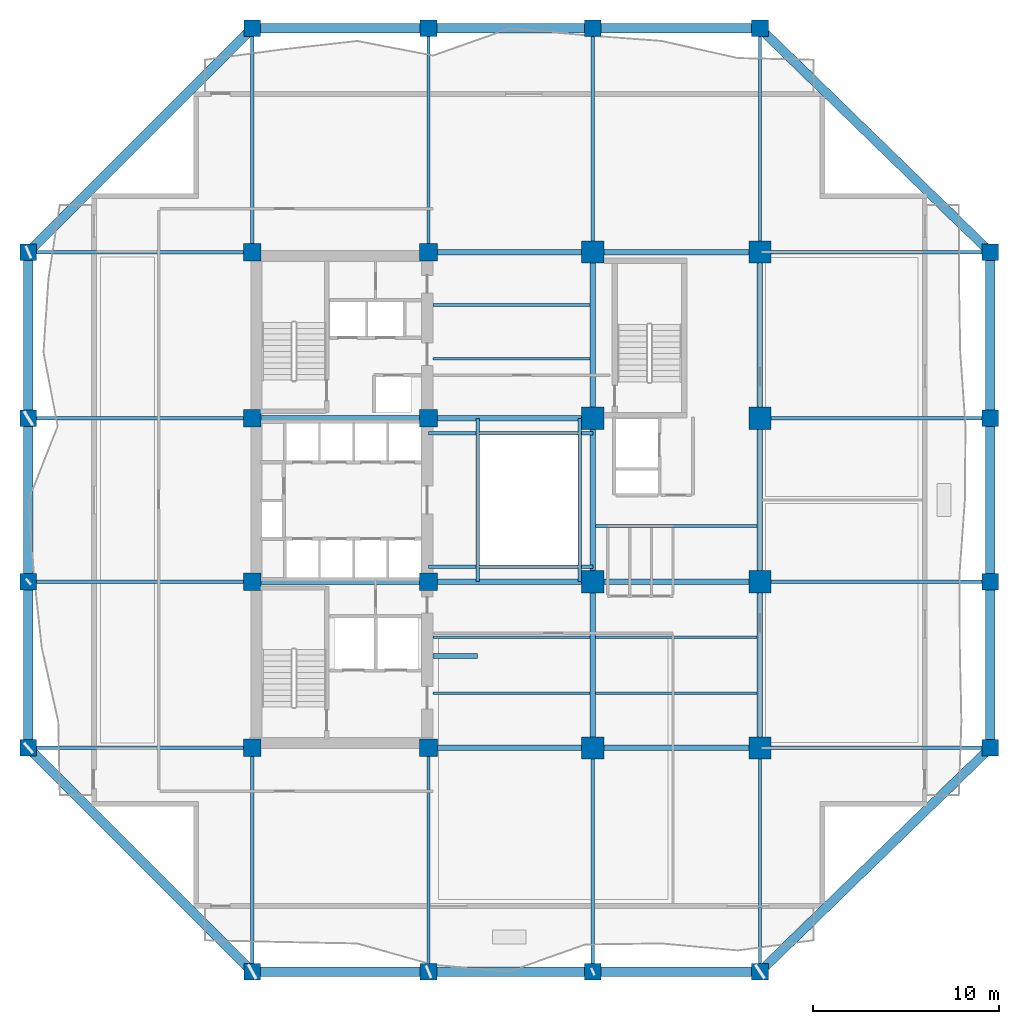
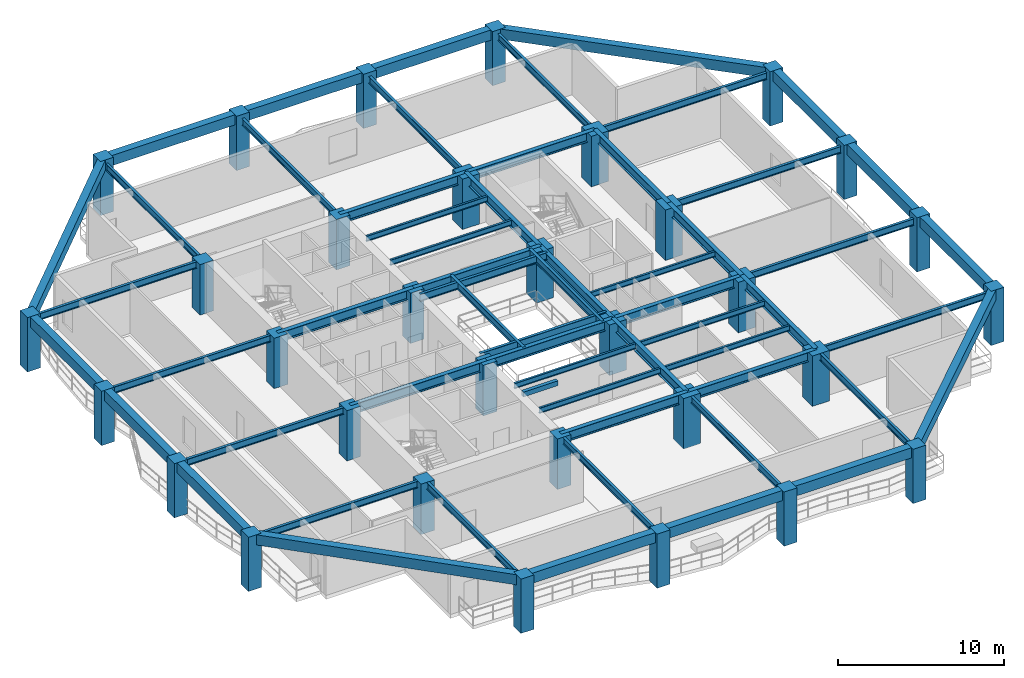
# One storey, part 1 of 13: 59 beams, 32 columns.
"""IFC4 building model written with IfcOpenShell, lengths in metres."""

from ifc_helpers import new_model, si_unit, direction, frame, origin, origin_2d, place, context, subcontext, project, spatial, rectangle, i_section, extrude, material, material_profile, profile_set, type_object, element, save


model = new_model("IFC4")

# Units and contexts
model_context = context("Model", 3, precision=1e-05, world=origin(), true_north=direction((0.0, 1.0)))
body_context = subcontext(model_context, "Body", "Model", "MODEL_VIEW")
ifc_project = project(units=[si_unit("LENGTHUNIT", "METRE"), si_unit("AREAUNIT", "SQUARE_METRE"), si_unit("VOLUMEUNIT", "CUBIC_METRE"), si_unit("PLANEANGLEUNIT", "RADIAN"), si_unit("MASSUNIT", "GRAM", prefix="KILO")], contexts=[model_context])

# Site, building, storey
site_placement = place(None, origin())
site = spatial("IfcSite", under=ifc_project, at=site_placement, CompositionType="ELEMENT")
building_placement = place(site_placement, origin())
building = spatial("IfcBuilding", under=site, at=building_placement, Name="Kundavana Baori Tower", CompositionType="ELEMENT")
storey_placement = place(building_placement, frame((0.0, 0.0, 34.0)))
storey = spatial("IfcBuildingStorey", under=building, at=storey_placement, Name="L07", CompositionType="ELEMENT", Elevation=34.0)

# Columns
ifc_material_1 = material(Name="Concrete C60/75", Category="concrete")
ifc_material_profile_1 = material_profile(ifc_material_1, rectangle(XDim=0.89990234375, YDim=0.89990234375, at=origin_2d()), Name="RC PF 900x900")
ifc_profile_set_1 = profile_set([ifc_material_profile_1], Name="Concrete C60/75")
column_type_1 = type_object("IfcColumnType", Name="COL-PF-900", PredefinedType="COLUMN", material=ifc_profile_set_1)
for number, where, z_axis, x_axis, name in (
    (1, (15.449951171875, 3.199951171875, 0.0), (0.0, 0.0, 1.0), (1.0, 0.0, 0.0), "L07 Stone-Clad Perimeter Frame Column PF-S1"),
    (2, (15.449951171875, 54.0, 0.0), (0.0, 0.0, 1.0), (1.0, 0.0, 0.0), "L07 Stone-Clad Perimeter Frame Column PF-N1"),
    (3, (24.949951171875, 3.199951171875, 0.0), (0.0, 0.0, 1.0), (1.0, 0.0, 0.0), "L07 Stone-Clad Perimeter Frame Column PF-S2"),
    (4, (24.949951171875, 54.0, 0.0), (0.0, 0.0, 1.0), (1.0, 0.0, 0.0), "L07 Stone-Clad Perimeter Frame Column PF-N2"),
    (5, (33.800048828125, 3.199951171875, 0.0), (0.0, 0.0, 1.0), (1.0, 0.0, 0.0), "L07 Stone-Clad Perimeter Frame Column PF-S3"),
    (6, (33.800048828125, 54.0, 0.0), (0.0, 0.0, 1.0), (1.0, 0.0, 0.0), "L07 Stone-Clad Perimeter Frame Column PF-N3"),
    (7, (42.800048828125, 3.199951171875, 0.0), (0.0, 0.0, 1.0), (1.0, 0.0, 0.0), "L07 Stone-Clad Perimeter Frame Column PF-S4"),
    (8, (42.800048828125, 54.0, 0.0), (0.0, 0.0, 1.0), (1.0, 0.0, 0.0), "L07 Stone-Clad Perimeter Frame Column PF-N4"),
    (9, (3.39990234375, 15.25, 0.0), (0.0, 0.0, 1.0), (1.0, 0.0, 0.0), "L07 Stone-Clad Perimeter Frame Column PF-W1"),
    (10, (55.199951171875, 15.25, 0.0), (0.0, 0.0, 1.0), (1.0, 0.0, 0.0), "L07 Stone-Clad Perimeter Frame Column PF-E1"),
    (11, (3.39990234375, 24.199951171875, 0.0), (0.0, 0.0, 1.0), (1.0, 0.0, 0.0), "L07 Stone-Clad Perimeter Frame Column PF-W2"),
    (12, (55.199951171875, 24.199951171875, 0.0), (0.0, 0.0, 1.0), (1.0, 0.0, 0.0), "L07 Stone-Clad Perimeter Frame Column PF-E2"),
    (13, (3.39990234375, 33.0, 0.0), (0.0, 0.0, 1.0), (1.0, 0.0, 0.0), "L07 Stone-Clad Perimeter Frame Column PF-W3"),
    (14, (55.199951171875, 33.0, 0.0), (0.0, 0.0, 1.0), (1.0, 0.0, 0.0), "L07 Stone-Clad Perimeter Frame Column PF-E3"),
    (15, (3.39990234375, 41.949951171875, 0.0), (0.0, 0.0, 1.0), (1.0, 0.0, 0.0), "L07 Stone-Clad Perimeter Frame Column PF-W4"),
    (16, (55.199951171875, 41.949951171875, 0.0), (0.0, 0.0, 1.0), (1.0, 0.0, 0.0), "L07 Stone-Clad Perimeter Frame Column PF-E4"),
):
    element("IfcColumn", number, at=place(storey_placement, frame(where, z_axis=z_axis, x_axis=x_axis)), inside=storey, type_object=column_type_1, Name=name, PredefinedType="COLUMN", context=body_context, shape_type="SweptSolid", body=[
        extrude(rectangle(XDim=0.89990234375, YDim=0.89990234375, at=origin_2d()), origin(), (0.0, 0.0, 1.0), 4.0),
    ])
ifc_material_2 = material(Name="Concrete C60/75", Category="concrete")
ifc_material_profile_2 = material_profile(ifc_material_2, rectangle(XDim=1.199951171875, YDim=1.199951171875, at=origin_2d()), Name="RC 1200x1200")
ifc_profile_set_2 = profile_set([ifc_material_profile_2], Name="Concrete C60/75")
column_type_2 = type_object("IfcColumnType", Name="COL-RC-1200", PredefinedType="COLUMN", material=ifc_profile_set_2)
for number, where, z_axis, x_axis, name in (
    (17, (33.800048828125, 15.25, 0.0), (0.0, 0.0, 1.0), (1.0, 0.0, 0.0), "L07 Interior Column IC-5C"),
    (18, (33.800048828125, 24.199951171875, 0.0), (0.0, 0.0, 1.0), (1.0, 0.0, 0.0), "L07 Interior Column IC-5D"),
    (19, (33.800048828125, 33.0, 0.0), (0.0, 0.0, 1.0), (1.0, 0.0, 0.0), "L07 Interior Column IC-5E"),
    (20, (33.800048828125, 41.949951171875, 0.0), (0.0, 0.0, 1.0), (1.0, 0.0, 0.0), "L07 Interior Column IC-5F"),
    (21, (42.800048828125, 15.25, 0.0), (0.0, 0.0, 1.0), (1.0, 0.0, 0.0), "L07 Interior Column IC-6C"),
    (22, (42.800048828125, 24.199951171875, 0.0), (0.0, 0.0, 1.0), (1.0, 0.0, 0.0), "L07 Interior Column IC-6D"),
    (23, (42.800048828125, 33.0, 0.0), (0.0, 0.0, 1.0), (1.0, 0.0, 0.0), "L07 Interior Column IC-6E"),
    (24, (42.800048828125, 41.949951171875, 0.0), (0.0, 0.0, 1.0), (1.0, 0.0, 0.0), "L07 Interior Column IC-6F"),
):
    element("IfcColumn", number, at=place(storey_placement, frame(where, z_axis=z_axis, x_axis=x_axis)), inside=storey, type_object=column_type_2, Name=name, PredefinedType="COLUMN", context=body_context, shape_type="SweptSolid", body=[
        extrude(rectangle(XDim=1.199951171875, YDim=1.199951171875, at=origin_2d()), origin(), (0.0, 0.0, 1.0), 3.719970703125),
    ])
ifc_material_3 = material(Name="Concrete C50/60", Category="concrete")
ifc_material_profile_3 = material_profile(ifc_material_3, rectangle(XDim=0.949951171875, YDim=0.949951171875, at=origin_2d()), Name="RC 950x950")
ifc_profile_set_3 = profile_set([ifc_material_profile_3], Name="Concrete C50/60")
column_type_3 = type_object("IfcColumnType", Name="COL-RC-950", PredefinedType="COLUMN", material=ifc_profile_set_3)
for number, where, z_axis, x_axis, name in (
    (25, (15.449951171875, 15.25, 0.0), (0.0, 0.0, 1.0), (1.0, 0.0, 0.0), "L07 Interior Column IC-3C"),
    (26, (15.449951171875, 24.199951171875, 0.0), (0.0, 0.0, 1.0), (1.0, 0.0, 0.0), "L07 Interior Column IC-3D"),
    (27, (15.449951171875, 33.0, 0.0), (0.0, 0.0, 1.0), (1.0, 0.0, 0.0), "L07 Interior Column IC-3E"),
    (28, (15.449951171875, 41.949951171875, 0.0), (0.0, 0.0, 1.0), (1.0, 0.0, 0.0), "L07 Interior Column IC-3F"),
    (29, (24.949951171875, 15.25, 0.0), (0.0, 0.0, 1.0), (1.0, 0.0, 0.0), "L07 Interior Column IC-4C"),
    (30, (24.949951171875, 24.199951171875, 0.0), (0.0, 0.0, 1.0), (1.0, 0.0, 0.0), "L07 Interior Column IC-4D"),
    (31, (24.949951171875, 33.0, 0.0), (0.0, 0.0, 1.0), (1.0, 0.0, 0.0), "L07 Interior Column IC-4E"),
    (32, (24.949951171875, 41.949951171875, 0.0), (0.0, 0.0, 1.0), (1.0, 0.0, 0.0), "L07 Interior Column IC-4F"),
):
    element("IfcColumn", number, at=place(storey_placement, frame(where, z_axis=z_axis, x_axis=x_axis)), inside=storey, type_object=column_type_3, Name=name, PredefinedType="COLUMN", context=body_context, shape_type="SweptSolid", body=[
        extrude(rectangle(XDim=0.949951171875, YDim=0.949951171875, at=origin_2d()), origin(), (0.0, 0.0, 1.0), 3.719970703125),
    ])

# Beams
ifc_material_4 = material(Name="Structural Steel S355JR", Category="steel")
ifc_material_profile_4 = material_profile(ifc_material_4, i_section(OverallWidth=0.139892578125, OverallDepth=0.39990234375, WebThickness=0.0087890625, FlangeThickness=0.01611328125, FilletRadius=0.013916015625, at=origin_2d()), Name="ISMB 400")
ifc_profile_set_4 = profile_set([ifc_material_profile_4], Name="Structural Steel S355JR")
beam_type_1 = type_object("IfcBeamType", Name="BM-JST-400", PredefinedType="JOIST", material=ifc_profile_set_4)
for number, where, z_axis, x_axis, name in (
    (33, (25.179931640625, 18.199951171875, 3.52001953125), (1.0, 0.0, 0.0), (0.0, 1.0, 0.0), "L07 Central Bay Composite Floor Joist C1"),
    (34, (25.179931640625, 21.199951171875, 3.52001953125), (1.0, 0.0, 0.0), (0.0, 1.0, 0.0), "L07 Central Bay Composite Floor Joist C2"),
    (35, (25.179931640625, 36.199951171875, 3.52001953125), (1.0, 0.0, 0.0), (0.0, 1.0, 0.0), "L07 Central Bay Composite Floor Joist C3"),
    (36, (25.179931640625, 39.10009765625, 3.52001953125), (1.0, 0.0, 0.0), (0.0, 1.0, 0.0), "L07 Central Bay Composite Floor Joist C4"),
):
    element("IfcBeam", number, at=place(storey_placement, frame(where, z_axis=z_axis, x_axis=x_axis)), inside=storey, type_object=beam_type_1, Name=name, PredefinedType="JOIST", context=body_context, shape_type="SweptSolid", body=[
        extrude(i_section(OverallWidth=0.139892578125, OverallDepth=0.39990234375, WebThickness=0.0087890625, FlangeThickness=0.01611328125, FilletRadius=0.013916015625, at=origin_2d()), origin(), (0.0, 0.0, 1.0), 8.469970703125),
    ])
for number, where, z_axis, x_axis, name in (
    (37, (33.949951171875, 18.199951171875, 3.52001953125), (1.0, 0.0, 0.0), (0.0, 1.0, 0.0), "L07 East Bay Composite Floor Joist E1"),
    (38, (33.949951171875, 21.199951171875, 3.52001953125), (1.0, 0.0, 0.0), (0.0, 1.0, 0.0), "L07 East Bay Composite Floor Joist E2"),
    (39, (33.949951171875, 27.199951171875, 3.52001953125), (1.0, 0.0, 0.0), (0.0, 1.0, 0.0), "L07 East Bay Composite Floor Joist E3"),
):
    element("IfcBeam", number, at=place(storey_placement, frame(where, z_axis=z_axis, x_axis=x_axis)), inside=storey, type_object=beam_type_1, Name=name, PredefinedType="JOIST", context=body_context, shape_type="SweptSolid", body=[
        extrude(i_section(OverallWidth=0.139892578125, OverallDepth=0.39990234375, WebThickness=0.0087890625, FlangeThickness=0.01611328125, FilletRadius=0.013916015625, at=origin_2d()), origin(), (0.0, 0.0, 1.0), 8.699951171875),
    ])
ifc_material_5 = material(Name="Concrete C40/50", Category="concrete")
ifc_material_profile_5 = material_profile(ifc_material_5, rectangle(XDim=0.25, YDim=0.35009765625, at=origin_2d()), Name="RC LNT 250x350")
ifc_profile_set_5 = profile_set([ifc_material_profile_5], Name="Concrete C40/50")
beam_type_2 = type_object("IfcBeamType", Name="BM-LNT-350", PredefinedType="LINTEL", material=ifc_profile_set_5)
beam_1_placement = place(storey_placement, frame((25.179931640625, 20.199951171875, 3.544921875), z_axis=(1.0, 0.0, 0.0), x_axis=(0.0, 1.0, 0.0)))
element("IfcBeam", 40, at=beam_1_placement, inside=storey, type_object=beam_type_2, Name="L07 Atrium Gallery Portal Lintel Beam", PredefinedType="LINTEL", context=body_context, shape_type="SweptSolid", body=[
    extrude(rectangle(XDim=0.25, YDim=0.35009765625, at=origin_2d()), origin(), (0.0, 0.0, 1.0), 2.420166015625),
])
ifc_material_6 = material(Name="Concrete C50/60", Category="concrete")
ifc_material_profile_6 = material_profile(ifc_material_6, rectangle(XDim=0.5, YDim=0.75, at=origin_2d()), Name="RC BM 500x750")
ifc_profile_set_6 = profile_set([ifc_material_profile_6], Name="Concrete C50/60")
beam_type_3 = type_object("IfcBeamType", Name="BM-PF-750", PredefinedType="SPANDREL", material=ifc_profile_set_6)
beam_2_placement = place(storey_placement, frame((15.449951171875, 3.199951171875, 3.625), z_axis=(1.0, 0.0, 0.0), x_axis=(0.0, 1.0, 0.0)))
element("IfcBeam", 41, at=beam_2_placement, inside=storey, type_object=beam_type_3, Name="L07 Perimeter Frame Ring Beam S1", PredefinedType="SPANDREL", context=body_context, shape_type="SweptSolid", body=[
    extrude(rectangle(XDim=0.5, YDim=0.75, at=origin_2d()), origin(), (0.0, 0.0, 1.0), 9.5),
])
beam_3_placement = place(storey_placement, frame((24.949951171875, 3.199951171875, 3.625), z_axis=(1.0, 0.0, 0.0), x_axis=(0.0, 1.0, 0.0)))
element("IfcBeam", 42, at=beam_3_placement, inside=storey, type_object=beam_type_3, Name="L07 Perimeter Frame Ring Beam S2", PredefinedType="SPANDREL", context=body_context, shape_type="SweptSolid", body=[
    extrude(rectangle(XDim=0.5, YDim=0.75, at=origin_2d()), origin(), (0.0, 0.0, 1.0), 8.85009765625),
])
beam_4_placement = place(storey_placement, frame((33.800048828125, 3.199951171875, 3.625), z_axis=(1.0, 0.0, 0.0), x_axis=(0.0, 1.0, 0.0)))
element("IfcBeam", 43, at=beam_4_placement, inside=storey, type_object=beam_type_3, Name="L07 Perimeter Frame Ring Beam S3", PredefinedType="SPANDREL", context=body_context, shape_type="SweptSolid", body=[
    extrude(rectangle(XDim=0.5, YDim=0.75, at=origin_2d()), origin(), (0.0, 0.0, 1.0), 9.0),
])
beam_5_placement = place(storey_placement, frame((15.449951171875, 54.0, 3.625), z_axis=(1.0, 0.0, 0.0), x_axis=(0.0, 1.0, 0.0)))
element("IfcBeam", 44, at=beam_5_placement, inside=storey, type_object=beam_type_3, Name="L07 Perimeter Frame Ring Beam N1", PredefinedType="SPANDREL", context=body_context, shape_type="SweptSolid", body=[
    extrude(rectangle(XDim=0.5, YDim=0.75, at=origin_2d()), origin(), (0.0, 0.0, 1.0), 9.5),
])
beam_6_placement = place(storey_placement, frame((24.949951171875, 54.0, 3.625), z_axis=(1.0, 0.0, 0.0), x_axis=(0.0, 1.0, 0.0)))
element("IfcBeam", 45, at=beam_6_placement, inside=storey, type_object=beam_type_3, Name="L07 Perimeter Frame Ring Beam N2", PredefinedType="SPANDREL", context=body_context, shape_type="SweptSolid", body=[
    extrude(rectangle(XDim=0.5, YDim=0.75, at=origin_2d()), origin(), (0.0, 0.0, 1.0), 8.85009765625),
])
beam_7_placement = place(storey_placement, frame((33.800048828125, 54.0, 3.625), z_axis=(1.0, 0.0, 0.0), x_axis=(0.0, 1.0, 0.0)))
element("IfcBeam", 46, at=beam_7_placement, inside=storey, type_object=beam_type_3, Name="L07 Perimeter Frame Ring Beam N3", PredefinedType="SPANDREL", context=body_context, shape_type="SweptSolid", body=[
    extrude(rectangle(XDim=0.5, YDim=0.75, at=origin_2d()), origin(), (0.0, 0.0, 1.0), 9.0),
])
beam_8_placement = place(storey_placement, frame((3.39990234375, 15.25, 3.625), z_axis=(0.0, 1.0, 0.0), x_axis=(-1.0, 0.0, 0.0)))
element("IfcBeam", 47, at=beam_8_placement, inside=storey, type_object=beam_type_3, Name="L07 Perimeter Frame Ring Beam W1", PredefinedType="SPANDREL", context=body_context, shape_type="SweptSolid", body=[
    extrude(rectangle(XDim=0.5, YDim=0.75, at=origin_2d()), origin(), (0.0, 0.0, 1.0), 8.949951171875),
])
beam_9_placement = place(storey_placement, frame((3.39990234375, 24.199951171875, 3.625), z_axis=(0.0, 1.0, 0.0), x_axis=(-1.0, 0.0, 0.0)))
element("IfcBeam", 48, at=beam_9_placement, inside=storey, type_object=beam_type_3, Name="L07 Perimeter Frame Ring Beam W2", PredefinedType="SPANDREL", context=body_context, shape_type="SweptSolid", body=[
    extrude(rectangle(XDim=0.5, YDim=0.75, at=origin_2d()), origin(), (0.0, 0.0, 1.0), 8.800048828125),
])
for number, where, z_axis, x_axis, name in (
    (49, (3.39990234375, 33.0, 3.625), (0.0, 1.0, 0.0), (-1.0, 0.0, 0.0), "L07 Perimeter Frame Ring Beam W3"),
    (50, (55.199951171875, 15.25, 3.625), (0.0, 1.0, 0.0), (-1.0, 0.0, 0.0), "L07 Perimeter Frame Ring Beam E1"),
):
    element("IfcBeam", number, at=place(storey_placement, frame(where, z_axis=z_axis, x_axis=x_axis)), inside=storey, type_object=beam_type_3, Name=name, PredefinedType="SPANDREL", context=body_context, shape_type="SweptSolid", body=[
        extrude(rectangle(XDim=0.5, YDim=0.75, at=origin_2d()), origin(), (0.0, 0.0, 1.0), 8.949951171875),
    ])
beam_10_placement = place(storey_placement, frame((55.199951171875, 24.199951171875, 3.625), z_axis=(0.0, 1.0, 0.0), x_axis=(-1.0, 0.0, 0.0)))
element("IfcBeam", 51, at=beam_10_placement, inside=storey, type_object=beam_type_3, Name="L07 Perimeter Frame Ring Beam E2", PredefinedType="SPANDREL", context=body_context, shape_type="SweptSolid", body=[
    extrude(rectangle(XDim=0.5, YDim=0.75, at=origin_2d()), origin(), (0.0, 0.0, 1.0), 8.800048828125),
])
beam_11_placement = place(storey_placement, frame((55.199951171875, 33.0, 3.625), z_axis=(0.0, 1.0, 0.0), x_axis=(-1.0, 0.0, 0.0)))
element("IfcBeam", 52, at=beam_11_placement, inside=storey, type_object=beam_type_3, Name="L07 Perimeter Frame Ring Beam E3", PredefinedType="SPANDREL", context=body_context, shape_type="SweptSolid", body=[
    extrude(rectangle(XDim=0.5, YDim=0.75, at=origin_2d()), origin(), (0.0, 0.0, 1.0), 8.949951171875),
])
beam_12_placement = place(storey_placement, frame((15.449951171875, 3.199951171875, 3.625), z_axis=(-0.707106781187, 0.707106781187, 0.0), x_axis=(-0.707106781187, -0.707106781187, 0.0)))
element("IfcBeam", 53, at=beam_12_placement, inside=storey, type_object=beam_type_3, Name="L07 Notched Corner Perimeter Beam SW", PredefinedType="SPANDREL", context=body_context, shape_type="SweptSolid", body=[
    extrude(rectangle(XDim=0.5, YDim=0.75, at=origin_2d()), origin(), (0.0, 0.0, 1.0), 17.041259765625),
])
beam_13_placement = place(storey_placement, frame((42.800048828125, 3.199951171875, 3.625), z_axis=(0.717151334594, 0.696917472367, 0.0), x_axis=(-0.696917472367, 0.717151334594, 0.0)))
element("IfcBeam", 54, at=beam_13_placement, inside=storey, type_object=beam_type_3, Name="L07 Notched Corner Perimeter Beam SE", PredefinedType="SPANDREL", context=body_context, shape_type="SweptSolid", body=[
    extrude(rectangle(XDim=0.5, YDim=0.75, at=origin_2d()), origin(), (0.0, 0.0, 1.0), 17.29052734375),
])
beam_14_placement = place(storey_placement, frame((15.449951171875, 54.0, 3.625), z_axis=(-0.707106781187, -0.707106781187, 0.0), x_axis=(0.707106781187, -0.707106781187, 0.0)))
element("IfcBeam", 55, at=beam_14_placement, inside=storey, type_object=beam_type_3, Name="L07 Notched Corner Perimeter Beam NW", PredefinedType="SPANDREL", context=body_context, shape_type="SweptSolid", body=[
    extrude(rectangle(XDim=0.5, YDim=0.75, at=origin_2d()), origin(), (0.0, 0.0, 1.0), 17.041259765625),
])
beam_15_placement = place(storey_placement, frame((42.800048828125, 54.0, 3.625), z_axis=(0.717151334594, -0.696917472367, 0.0), x_axis=(0.696917472367, 0.717151334594, 0.0)))
element("IfcBeam", 56, at=beam_15_placement, inside=storey, type_object=beam_type_3, Name="L07 Notched Corner Perimeter Beam NE", PredefinedType="SPANDREL", context=body_context, shape_type="SweptSolid", body=[
    extrude(rectangle(XDim=0.5, YDim=0.75, at=origin_2d()), origin(), (0.0, 0.0, 1.0), 17.29052734375),
])
ifc_material_7 = material(Name="Structural Steel S355JR", Category="steel")
ifc_material_profile_7 = material_profile(ifc_material_7, i_section(OverallWidth=0.18994140625, OverallDepth=0.550048828125, WebThickness=0.01123046875, FlangeThickness=0.019287109375, FilletRadius=0.01806640625, at=origin_2d()), Name="ISMB 550")
ifc_profile_set_7 = profile_set([ifc_material_profile_7], Name="Structural Steel S355JR")
beam_type_4 = type_object("IfcBeamType", Name="BM-ST-550", PredefinedType="BEAM", material=ifc_profile_set_7)
for number, where, z_axis, x_axis, name in (
    (57, (27.60009765625, 24.199951171875, 3.445068359375), (0.0, 1.0, 0.0), (-1.0, 0.0, 0.0), "L07 Atrium West Edge Beam"),
    (58, (33.10009765625, 24.199951171875, 3.445068359375), (0.0, 1.0, 0.0), (-1.0, 0.0, 0.0), "L07 Atrium East Edge Beam"),
):
    element("IfcBeam", number, at=place(storey_placement, frame(where, z_axis=z_axis, x_axis=x_axis)), inside=storey, type_object=beam_type_4, Name=name, PredefinedType="BEAM", context=body_context, shape_type="SweptSolid", body=[
        extrude(i_section(OverallWidth=0.18994140625, OverallDepth=0.550048828125, WebThickness=0.01123046875, FlangeThickness=0.019287109375, FilletRadius=0.01806640625, at=origin_2d()), origin(), (0.0, 0.0, 1.0), 8.800048828125),
    ])
for number, where, z_axis, x_axis, name in (
    (59, (24.949951171875, 25.0, 3.445068359375), (1.0, 0.0, 0.0), (0.0, 1.0, 0.0), "L07 Atrium South Edge Beam"),
    (60, (24.949951171875, 32.199951171875, 3.445068359375), (1.0, 0.0, 0.0), (0.0, 1.0, 0.0), "L07 Atrium North Edge Beam"),
):
    element("IfcBeam", number, at=place(storey_placement, frame(where, z_axis=z_axis, x_axis=x_axis)), inside=storey, type_object=beam_type_4, Name=name, PredefinedType="BEAM", context=body_context, shape_type="SweptSolid", body=[
        extrude(i_section(OverallWidth=0.18994140625, OverallDepth=0.550048828125, WebThickness=0.01123046875, FlangeThickness=0.019287109375, FilletRadius=0.01806640625, at=origin_2d()), origin(), (0.0, 0.0, 1.0), 8.85009765625),
    ])
ifc_material_8 = material(Name="Structural Steel S355JR", Category="steel")
ifc_material_profile_8 = material_profile(ifc_material_8, i_section(OverallWidth=0.300048828125, OverallDepth=0.699951171875, WebThickness=0.014404296875, FlangeThickness=0.02392578125, FilletRadius=0.02392578125, at=origin_2d()), Name="NPB 700x300x170")
ifc_profile_set_8 = profile_set([ifc_material_profile_8], Name="Structural Steel S355JR")
beam_type_5 = type_object("IfcBeamType", Name="BM-ST-700", PredefinedType="BEAM", material=ifc_profile_set_8)
beam_16_placement = place(storey_placement, frame((24.949951171875, 15.25, 3.3701171875), z_axis=(1.0, 0.0, 0.0), x_axis=(0.0, 1.0, 0.0)))
element("IfcBeam", 61, at=beam_16_placement, inside=storey, type_object=beam_type_5, Name="L07 Primary Grid Girder GX-1-2", PredefinedType="BEAM", context=body_context, shape_type="SweptSolid", body=[
    extrude(i_section(OverallWidth=0.300048828125, OverallDepth=0.699951171875, WebThickness=0.014404296875, FlangeThickness=0.02392578125, FilletRadius=0.02392578125, at=origin_2d()), origin(), (0.0, 0.0, 1.0), 8.85009765625),
])
beam_17_placement = place(storey_placement, frame((33.800048828125, 15.25, 3.3701171875), z_axis=(1.0, 0.0, 0.0), x_axis=(0.0, 1.0, 0.0)))
element("IfcBeam", 62, at=beam_17_placement, inside=storey, type_object=beam_type_5, Name="L07 Primary Grid Girder GX-1-3", PredefinedType="BEAM", context=body_context, shape_type="SweptSolid", body=[
    extrude(i_section(OverallWidth=0.300048828125, OverallDepth=0.699951171875, WebThickness=0.014404296875, FlangeThickness=0.02392578125, FilletRadius=0.02392578125, at=origin_2d()), origin(), (0.0, 0.0, 1.0), 9.0),
])
beam_18_placement = place(storey_placement, frame((15.449951171875, 24.199951171875, 3.3701171875), z_axis=(1.0, 0.0, 0.0), x_axis=(0.0, 1.0, 0.0)))
element("IfcBeam", 63, at=beam_18_placement, inside=storey, type_object=beam_type_5, Name="L07 Primary Grid Girder GX-2-1", PredefinedType="BEAM", context=body_context, shape_type="SweptSolid", body=[
    extrude(i_section(OverallWidth=0.300048828125, OverallDepth=0.699951171875, WebThickness=0.014404296875, FlangeThickness=0.02392578125, FilletRadius=0.02392578125, at=origin_2d()), origin(), (0.0, 0.0, 1.0), 9.5),
])
beam_19_placement = place(storey_placement, frame((24.949951171875, 24.199951171875, 3.3701171875), z_axis=(1.0, 0.0, 0.0), x_axis=(0.0, 1.0, 0.0)))
element("IfcBeam", 64, at=beam_19_placement, inside=storey, type_object=beam_type_5, Name="L07 Primary Grid Girder GX-2-2", PredefinedType="BEAM", context=body_context, shape_type="SweptSolid", body=[
    extrude(i_section(OverallWidth=0.300048828125, OverallDepth=0.699951171875, WebThickness=0.014404296875, FlangeThickness=0.02392578125, FilletRadius=0.02392578125, at=origin_2d()), origin(), (0.0, 0.0, 1.0), 8.85009765625),
])
beam_20_placement = place(storey_placement, frame((33.800048828125, 24.199951171875, 3.3701171875), z_axis=(1.0, 0.0, 0.0), x_axis=(0.0, 1.0, 0.0)))
element("IfcBeam", 65, at=beam_20_placement, inside=storey, type_object=beam_type_5, Name="L07 Primary Grid Girder GX-2-3", PredefinedType="BEAM", context=body_context, shape_type="SweptSolid", body=[
    extrude(i_section(OverallWidth=0.300048828125, OverallDepth=0.699951171875, WebThickness=0.014404296875, FlangeThickness=0.02392578125, FilletRadius=0.02392578125, at=origin_2d()), origin(), (0.0, 0.0, 1.0), 9.0),
])
beam_21_placement = place(storey_placement, frame((15.449951171875, 33.0, 3.3701171875), z_axis=(1.0, 0.0, 0.0), x_axis=(0.0, 1.0, 0.0)))
element("IfcBeam", 66, at=beam_21_placement, inside=storey, type_object=beam_type_5, Name="L07 Primary Grid Girder GX-3-1", PredefinedType="BEAM", context=body_context, shape_type="SweptSolid", body=[
    extrude(i_section(OverallWidth=0.300048828125, OverallDepth=0.699951171875, WebThickness=0.014404296875, FlangeThickness=0.02392578125, FilletRadius=0.02392578125, at=origin_2d()), origin(), (0.0, 0.0, 1.0), 9.5),
])
for number, where, z_axis, x_axis, name in (
    (67, (24.949951171875, 33.0, 3.3701171875), (1.0, 0.0, 0.0), (0.0, 1.0, 0.0), "L07 Primary Grid Girder GX-3-2"),
    (68, (24.949951171875, 41.949951171875, 3.3701171875), (1.0, 0.0, 0.0), (0.0, 1.0, 0.0), "L07 Primary Grid Girder GX-4-2"),
):
    element("IfcBeam", number, at=place(storey_placement, frame(where, z_axis=z_axis, x_axis=x_axis)), inside=storey, type_object=beam_type_5, Name=name, PredefinedType="BEAM", context=body_context, shape_type="SweptSolid", body=[
        extrude(i_section(OverallWidth=0.300048828125, OverallDepth=0.699951171875, WebThickness=0.014404296875, FlangeThickness=0.02392578125, FilletRadius=0.02392578125, at=origin_2d()), origin(), (0.0, 0.0, 1.0), 8.85009765625),
    ])
beam_22_placement = place(storey_placement, frame((33.800048828125, 41.949951171875, 3.3701171875), z_axis=(1.0, 0.0, 0.0), x_axis=(0.0, 1.0, 0.0)))
element("IfcBeam", 69, at=beam_22_placement, inside=storey, type_object=beam_type_5, Name="L07 Primary Grid Girder GX-4-3", PredefinedType="BEAM", context=body_context, shape_type="SweptSolid", body=[
    extrude(i_section(OverallWidth=0.300048828125, OverallDepth=0.699951171875, WebThickness=0.014404296875, FlangeThickness=0.02392578125, FilletRadius=0.02392578125, at=origin_2d()), origin(), (0.0, 0.0, 1.0), 9.0),
])
beam_23_placement = place(storey_placement, frame((33.800048828125, 15.25, 3.3701171875), z_axis=(0.0, 1.0, 0.0), x_axis=(-1.0, 0.0, 0.0)))
element("IfcBeam", 70, at=beam_23_placement, inside=storey, type_object=beam_type_5, Name="L07 Primary Grid Girder GY-3-1", PredefinedType="BEAM", context=body_context, shape_type="SweptSolid", body=[
    extrude(i_section(OverallWidth=0.300048828125, OverallDepth=0.699951171875, WebThickness=0.014404296875, FlangeThickness=0.02392578125, FilletRadius=0.02392578125, at=origin_2d()), origin(), (0.0, 0.0, 1.0), 8.949951171875),
])
beam_24_placement = place(storey_placement, frame((33.800048828125, 24.199951171875, 3.3701171875), z_axis=(0.0, 1.0, 0.0), x_axis=(-1.0, 0.0, 0.0)))
element("IfcBeam", 71, at=beam_24_placement, inside=storey, type_object=beam_type_5, Name="L07 Primary Grid Girder GY-3-2", PredefinedType="BEAM", context=body_context, shape_type="SweptSolid", body=[
    extrude(i_section(OverallWidth=0.300048828125, OverallDepth=0.699951171875, WebThickness=0.014404296875, FlangeThickness=0.02392578125, FilletRadius=0.02392578125, at=origin_2d()), origin(), (0.0, 0.0, 1.0), 8.800048828125),
])
for number, where, z_axis, x_axis, name in (
    (72, (33.800048828125, 33.0, 3.3701171875), (0.0, 1.0, 0.0), (-1.0, 0.0, 0.0), "L07 Primary Grid Girder GY-3-3"),
    (73, (42.800048828125, 15.25, 3.3701171875), (0.0, 1.0, 0.0), (-1.0, 0.0, 0.0), "L07 Primary Grid Girder GY-4-1"),
):
    element("IfcBeam", number, at=place(storey_placement, frame(where, z_axis=z_axis, x_axis=x_axis)), inside=storey, type_object=beam_type_5, Name=name, PredefinedType="BEAM", context=body_context, shape_type="SweptSolid", body=[
        extrude(i_section(OverallWidth=0.300048828125, OverallDepth=0.699951171875, WebThickness=0.014404296875, FlangeThickness=0.02392578125, FilletRadius=0.02392578125, at=origin_2d()), origin(), (0.0, 0.0, 1.0), 8.949951171875),
    ])
beam_25_placement = place(storey_placement, frame((42.800048828125, 24.199951171875, 3.3701171875), z_axis=(0.0, 1.0, 0.0), x_axis=(-1.0, 0.0, 0.0)))
element("IfcBeam", 74, at=beam_25_placement, inside=storey, type_object=beam_type_5, Name="L07 Primary Grid Girder GY-4-2", PredefinedType="BEAM", context=body_context, shape_type="SweptSolid", body=[
    extrude(i_section(OverallWidth=0.300048828125, OverallDepth=0.699951171875, WebThickness=0.014404296875, FlangeThickness=0.02392578125, FilletRadius=0.02392578125, at=origin_2d()), origin(), (0.0, 0.0, 1.0), 8.800048828125),
])
beam_26_placement = place(storey_placement, frame((42.800048828125, 33.0, 3.3701171875), z_axis=(0.0, 1.0, 0.0), x_axis=(-1.0, 0.0, 0.0)))
element("IfcBeam", 75, at=beam_26_placement, inside=storey, type_object=beam_type_5, Name="L07 Primary Grid Girder GY-4-3", PredefinedType="BEAM", context=body_context, shape_type="SweptSolid", body=[
    extrude(i_section(OverallWidth=0.300048828125, OverallDepth=0.699951171875, WebThickness=0.014404296875, FlangeThickness=0.02392578125, FilletRadius=0.02392578125, at=origin_2d()), origin(), (0.0, 0.0, 1.0), 8.949951171875),
])
ifc_material_9 = material(Name="Structural Steel S355JR", Category="steel")
ifc_material_profile_9 = material_profile(ifc_material_9, i_section(OverallWidth=0.179931640625, OverallDepth=0.5, WebThickness=0.01025390625, FlangeThickness=0.01708984375, FilletRadius=0.01708984375, at=origin_2d()), Name="ISMB 500")
ifc_profile_set_9 = profile_set([ifc_material_profile_9], Name="Structural Steel S355JR")
beam_type_6 = type_object("IfcBeamType", Name="BM-TIE-500", PredefinedType="BEAM", material=ifc_profile_set_9)
for number, where, z_axis, x_axis, name in (
    (76, (15.449951171875, 15.25, 3.469970703125), (0.0, -1.0, 0.0), (1.0, 0.0, 0.0), "L07 South Radial Loggia Tie Beam S1"),
    (77, (15.449951171875, 41.949951171875, 3.469970703125), (0.0, 1.0, 0.0), (-1.0, 0.0, 0.0), "L07 North Radial Loggia Tie Beam N1"),
    (78, (24.949951171875, 15.25, 3.469970703125), (0.0, -1.0, 0.0), (1.0, 0.0, 0.0), "L07 South Radial Loggia Tie Beam S2"),
    (79, (24.949951171875, 41.949951171875, 3.469970703125), (0.0, 1.0, 0.0), (-1.0, 0.0, 0.0), "L07 North Radial Loggia Tie Beam N2"),
    (80, (33.800048828125, 15.25, 3.469970703125), (0.0, -1.0, 0.0), (1.0, 0.0, 0.0), "L07 South Radial Loggia Tie Beam S3"),
    (81, (33.800048828125, 41.949951171875, 3.469970703125), (0.0, 1.0, 0.0), (-1.0, 0.0, 0.0), "L07 North Radial Loggia Tie Beam N3"),
    (82, (42.800048828125, 15.25, 3.469970703125), (0.0, -1.0, 0.0), (1.0, 0.0, 0.0), "L07 South Radial Loggia Tie Beam S4"),
    (83, (42.800048828125, 41.949951171875, 3.469970703125), (0.0, 1.0, 0.0), (-1.0, 0.0, 0.0), "L07 North Radial Loggia Tie Beam N4"),
    (84, (15.449951171875, 15.25, 3.469970703125), (-1.0, 0.0, 0.0), (0.0, -1.0, 0.0), "L07 West Radial Loggia Tie Beam W1"),
):
    element("IfcBeam", number, at=place(storey_placement, frame(where, z_axis=z_axis, x_axis=x_axis)), inside=storey, type_object=beam_type_6, Name=name, PredefinedType="BEAM", context=body_context, shape_type="SweptSolid", body=[
        extrude(i_section(OverallWidth=0.179931640625, OverallDepth=0.5, WebThickness=0.01025390625, FlangeThickness=0.01708984375, FilletRadius=0.01708984375, at=origin_2d()), origin(), (0.0, 0.0, 1.0), 12.050048828125),
    ])
beam_27_placement = place(storey_placement, frame((42.800048828125, 15.25, 3.469970703125), z_axis=(1.0, 0.0, 0.0), x_axis=(0.0, 1.0, 0.0)))
element("IfcBeam", 85, at=beam_27_placement, inside=storey, type_object=beam_type_6, Name="L07 East Radial Loggia Tie Beam E1", PredefinedType="BEAM", context=body_context, shape_type="SweptSolid", body=[
    extrude(i_section(OverallWidth=0.179931640625, OverallDepth=0.5, WebThickness=0.01025390625, FlangeThickness=0.01708984375, FilletRadius=0.01708984375, at=origin_2d()), origin(), (0.0, 0.0, 1.0), 12.39990234375),
])
beam_28_placement = place(storey_placement, frame((15.449951171875, 24.199951171875, 3.469970703125), z_axis=(-1.0, 0.0, 0.0), x_axis=(0.0, -1.0, 0.0)))
element("IfcBeam", 86, at=beam_28_placement, inside=storey, type_object=beam_type_6, Name="L07 West Radial Loggia Tie Beam W2", PredefinedType="BEAM", context=body_context, shape_type="SweptSolid", body=[
    extrude(i_section(OverallWidth=0.179931640625, OverallDepth=0.5, WebThickness=0.01025390625, FlangeThickness=0.01708984375, FilletRadius=0.01708984375, at=origin_2d()), origin(), (0.0, 0.0, 1.0), 12.050048828125),
])
beam_29_placement = place(storey_placement, frame((42.800048828125, 24.199951171875, 3.469970703125), z_axis=(1.0, 0.0, 0.0), x_axis=(0.0, 1.0, 0.0)))
element("IfcBeam", 87, at=beam_29_placement, inside=storey, type_object=beam_type_6, Name="L07 East Radial Loggia Tie Beam E2", PredefinedType="BEAM", context=body_context, shape_type="SweptSolid", body=[
    extrude(i_section(OverallWidth=0.179931640625, OverallDepth=0.5, WebThickness=0.01025390625, FlangeThickness=0.01708984375, FilletRadius=0.01708984375, at=origin_2d()), origin(), (0.0, 0.0, 1.0), 12.39990234375),
])
beam_30_placement = place(storey_placement, frame((15.449951171875, 33.0, 3.469970703125), z_axis=(-1.0, 0.0, 0.0), x_axis=(0.0, -1.0, 0.0)))
element("IfcBeam", 88, at=beam_30_placement, inside=storey, type_object=beam_type_6, Name="L07 West Radial Loggia Tie Beam W3", PredefinedType="BEAM", context=body_context, shape_type="SweptSolid", body=[
    extrude(i_section(OverallWidth=0.179931640625, OverallDepth=0.5, WebThickness=0.01025390625, FlangeThickness=0.01708984375, FilletRadius=0.01708984375, at=origin_2d()), origin(), (0.0, 0.0, 1.0), 12.050048828125),
])
beam_31_placement = place(storey_placement, frame((42.800048828125, 33.0, 3.469970703125), z_axis=(1.0, 0.0, 0.0), x_axis=(0.0, 1.0, 0.0)))
element("IfcBeam", 89, at=beam_31_placement, inside=storey, type_object=beam_type_6, Name="L07 East Radial Loggia Tie Beam E3", PredefinedType="BEAM", context=body_context, shape_type="SweptSolid", body=[
    extrude(i_section(OverallWidth=0.179931640625, OverallDepth=0.5, WebThickness=0.01025390625, FlangeThickness=0.01708984375, FilletRadius=0.01708984375, at=origin_2d()), origin(), (0.0, 0.0, 1.0), 12.39990234375),
])
beam_32_placement = place(storey_placement, frame((15.449951171875, 41.949951171875, 3.469970703125), z_axis=(-1.0, 0.0, 0.0), x_axis=(0.0, -1.0, 0.0)))
element("IfcBeam", 90, at=beam_32_placement, inside=storey, type_object=beam_type_6, Name="L07 West Radial Loggia Tie Beam W4", PredefinedType="BEAM", context=body_context, shape_type="SweptSolid", body=[
    extrude(i_section(OverallWidth=0.179931640625, OverallDepth=0.5, WebThickness=0.01025390625, FlangeThickness=0.01708984375, FilletRadius=0.01708984375, at=origin_2d()), origin(), (0.0, 0.0, 1.0), 12.050048828125),
])
beam_33_placement = place(storey_placement, frame((42.800048828125, 41.949951171875, 3.469970703125), z_axis=(1.0, 0.0, 0.0), x_axis=(0.0, 1.0, 0.0)))
element("IfcBeam", 91, at=beam_33_placement, inside=storey, type_object=beam_type_6, Name="L07 East Radial Loggia Tie Beam E4", PredefinedType="BEAM", context=body_context, shape_type="SweptSolid", body=[
    extrude(i_section(OverallWidth=0.179931640625, OverallDepth=0.5, WebThickness=0.01025390625, FlangeThickness=0.01708984375, FilletRadius=0.01708984375, at=origin_2d()), origin(), (0.0, 0.0, 1.0), 12.39990234375),
])

save(model, "model.ifc")
